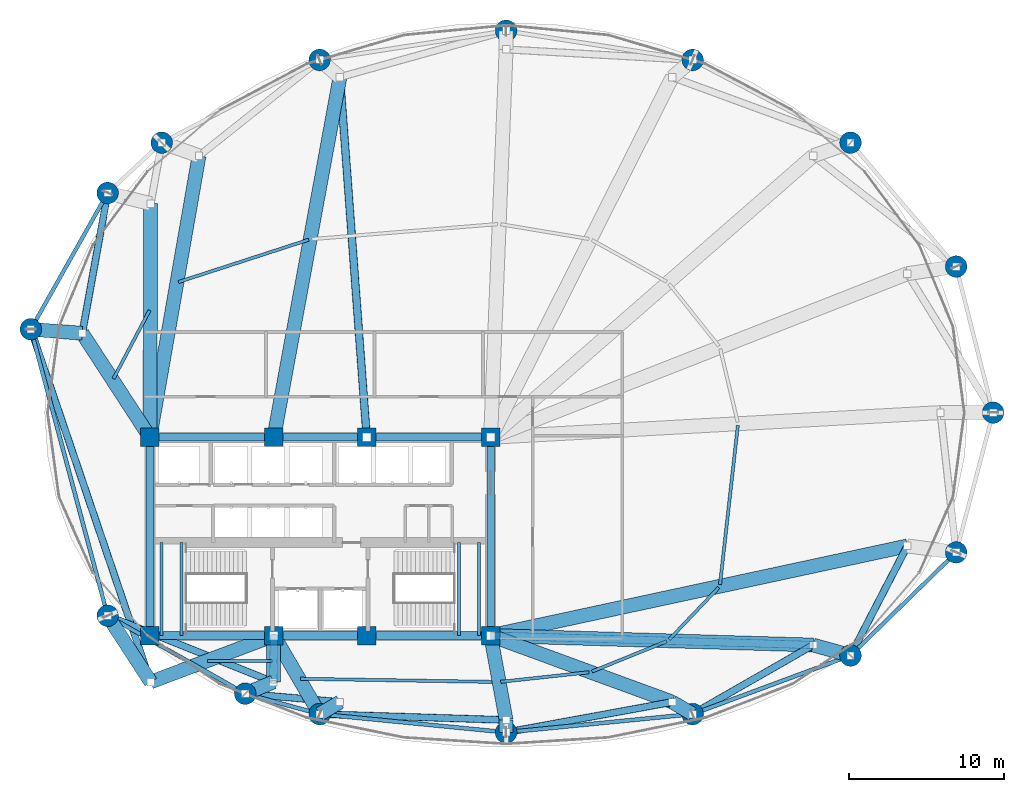
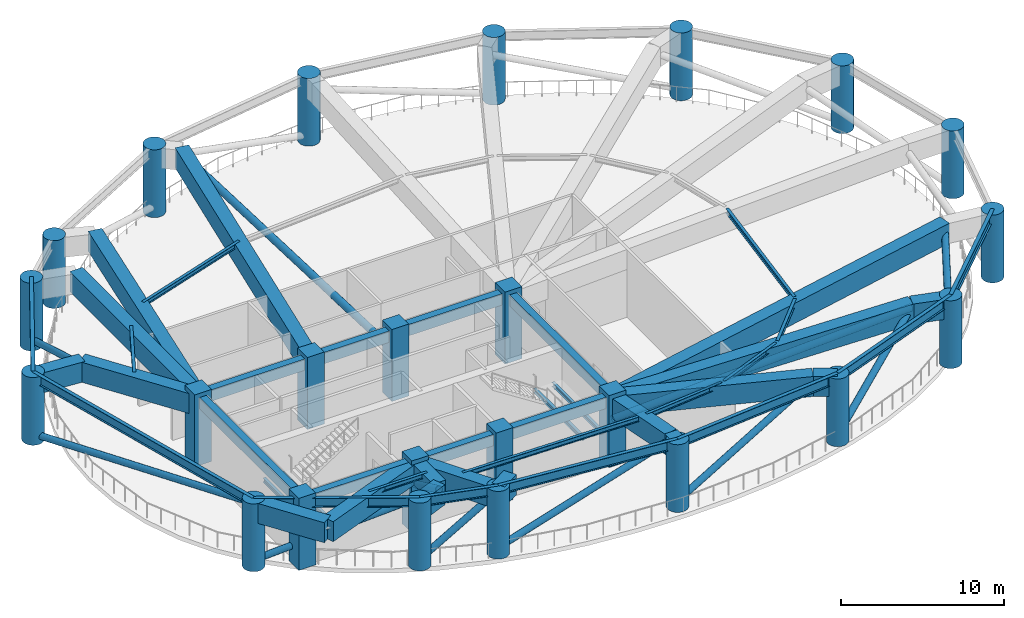
# One storey, part 1 of 9: 46 beams, 24 columns, 11 members.
"""IFC4 building model written with IfcOpenShell, lengths in metres."""

from ifc_helpers import new_model, si_unit, direction, frame, origin, origin_2d, place, context, subcontext, project, spatial, rectangle, circle, hollow_circle, i_section, extrude, material, material_profile, profile_set, type_object, element, save


model = new_model("IFC4")

# Units and contexts
model_context = context("Model", 3, precision=1e-05, world=origin(), true_north=direction((0.0, 1.0)))
body_context = subcontext(model_context, "Body", "Model", "MODEL_VIEW")
ifc_project = project(units=[si_unit("LENGTHUNIT", "METRE"), si_unit("AREAUNIT", "SQUARE_METRE"), si_unit("VOLUMEUNIT", "CUBIC_METRE"), si_unit("PLANEANGLEUNIT", "RADIAN"), si_unit("MASSUNIT", "GRAM", prefix="KILO")], contexts=[model_context])

# Site, building, storey
site_placement = place(None, origin())
site = spatial("IfcSite", under=ifc_project, at=site_placement, CompositionType="ELEMENT")
building_placement = place(site_placement, origin())
building = spatial("IfcBuilding", under=site, at=building_placement, Name="Kazevale Care Tower and Concert Hall", CompositionType="ELEMENT")
storey_placement = place(building_placement, frame((0.0, 0.0, 92.39990234375)))
storey = spatial("IfcBuildingStorey", under=building, at=storey_placement, Name="L24", CompositionType="ELEMENT", Elevation=92.39990234375)

# Columns
ifc_material_1 = material(Name="Concrete C70", Category="concrete")
ifc_material_profile_1 = material_profile(ifc_material_1, rectangle(XDim=1.199951171875, YDim=1.199951171875, at=origin_2d()), Name="RC-SQ1200")
ifc_profile_set_1 = profile_set([ifc_material_profile_1], Name="Concrete C70")
column_type_1 = type_object("IfcColumnType", Name="Core Column SQ1200 C70", PredefinedType="COLUMN", material=ifc_profile_set_1)
for number, where, z_axis, x_axis, name in (
    (1, (22.0, 23.60009765625, 0.0), (0.0, 0.0, 1.0), (1.0, 0.0, 0.0), "col:L24:CC-01"),
    (2, (30.0, 23.60009765625, 0.0), (0.0, 0.0, 1.0), (1.0, 0.0, 0.0), "col:L24:CC-02"),
    (3, (36.0, 23.60009765625, 0.0), (0.0, 0.0, 1.0), (1.0, 0.0, 0.0), "col:L24:CC-03"),
    (4, (44.0, 23.60009765625, 0.0), (0.0, 0.0, 1.0), (1.0, 0.0, 0.0), "col:L24:CC-04"),
    (5, (44.0, 36.39990234375, 0.0), (0.0, 0.0, 1.0), (1.0, 0.0, 0.0), "col:L24:CC-05"),
    (6, (36.0, 36.39990234375, 0.0), (0.0, 0.0, 1.0), (1.0, 0.0, 0.0), "col:L24:CC-06"),
    (7, (30.0, 36.39990234375, 0.0), (0.0, 0.0, 1.0), (1.0, 0.0, 0.0), "col:L24:CC-07"),
    (8, (22.0, 36.39990234375, 0.0), (0.0, 0.0, 1.0), (1.0, 0.0, 0.0), "col:L24:CC-08"),
):
    element("IfcColumn", number, at=place(storey_placement, frame(where, z_axis=z_axis, x_axis=x_axis)), inside=storey, type_object=column_type_1, Name=name, PredefinedType="COLUMN", context=body_context, shape_type="SweptSolid", body=[
        extrude(rectangle(XDim=1.199951171875, YDim=1.199951171875, at=origin_2d()), origin(), (0.0, 0.0, 1.0), 5.400146484375),
    ])
ifc_material_profile_2 = material_profile(ifc_material_1, circle(Radius=0.699951171875, at=origin_2d()), Name="RC-CIR1400")
ifc_profile_set_2 = profile_set([ifc_material_profile_2], Name="Concrete C70")
column_type_2 = type_object("IfcColumnType", Name="Perimeter Column CIR1400 C70", PredefinedType="COLUMN", material=ifc_profile_set_2)
for number, where, z_axis, x_axis, name in (
    (9, (76.449951171875, 38.0, 0.0), (0.0, 0.0, 1.0), (1.0, 0.0, 0.0), "col:L24:PC-01"),
    (10, (74.06005859375, 47.429931640625, 0.0), (0.0, 0.0, 1.0), (1.0, 0.0, 0.0), "col:L24:PC-02"),
    (11, (67.239990234375, 55.429931640625, 0.0), (0.0, 0.0, 1.0), (1.0, 0.0, 0.0), "col:L24:PC-03"),
    (12, (57.0400390625, 60.77001953125, 0.0), (0.0, 0.0, 1.0), (1.0, 0.0, 0.0), "col:L24:PC-04"),
    (13, (45.0, 62.64990234375, 0.0), (0.0, 0.0, 1.0), (1.0, 0.0, 0.0), "col:L24:PC-05"),
    (14, (32.9599609375, 60.77001953125, 0.0), (0.0, 0.0, 1.0), (1.0, 0.0, 0.0), "col:L24:PC-06"),
    (15, (22.760009765625, 55.429931640625, 0.0), (0.0, 0.0, 1.0), (1.0, 0.0, 0.0), "col:L24:PC-07"),
    (16, (19.27001953125, 52.179931640625, 0.0), (0.0, 0.0, 1.0), (1.0, 0.0, 0.0), "col:L24:PC-08"),
    (17, (14.31005859375, 43.3798828125, 0.0), (0.0, 0.0, 1.0), (1.0, 0.0, 0.0), "col:L24:PC-09"),
    (18, (19.27001953125, 24.8798828125, 0.0), (0.0, 0.0, 1.0), (1.0, 0.0, 0.0), "col:L24:PC-10"),
    (19, (28.14990234375, 19.85009765625, 0.0), (0.0, 0.0, 1.0), (1.0, 0.0, 0.0), "col:L24:PC-11"),
    (20, (32.9599609375, 18.530029296875, 0.0), (0.0, 0.0, 1.0), (1.0, 0.0, 0.0), "col:L24:PC-12"),
    (21, (45.0, 17.35009765625, 0.0), (0.0, 0.0, 1.0), (1.0, 0.0, 0.0), "col:L24:PC-13"),
    (22, (57.0400390625, 18.530029296875, 0.0), (0.0, 0.0, 1.0), (1.0, 0.0, 0.0), "col:L24:PC-14"),
    (23, (67.239990234375, 22.31005859375, 0.0), (0.0, 0.0, 1.0), (1.0, 0.0, 0.0), "col:L24:PC-15"),
    (24, (74.06005859375, 28.969970703125, 0.0), (0.0, 0.0, 1.0), (1.0, 0.0, 0.0), "col:L24:PC-16"),
):
    element("IfcColumn", number, at=place(storey_placement, frame(where, z_axis=z_axis, x_axis=x_axis)), inside=storey, type_object=column_type_2, Name=name, PredefinedType="COLUMN", context=body_context, shape_type="SweptSolid", body=[
        extrude(circle(Radius=0.699951171875, at=origin_2d()), origin(), (0.0, 0.0, 1.0), 5.080078125),
    ])

# Members
ifc_material_2 = material(Name="Steel ASTM A572 Gr 50", Category="steel")
ifc_material_profile_3 = material_profile(ifc_material_2, hollow_circle(Radius=0.228515625, WallThickness=0.028076171875, at=origin_2d()), Name="CHS457x28")
ifc_profile_set_3 = profile_set([ifc_material_profile_3], Name="Steel ASTM A572 Gr 50")
member_type_1 = type_object("IfcMemberType", Name="Belt Truss Diagonal CHS457x28", PredefinedType="BRACE", material=ifc_profile_set_3)
member_1_placement = place(storey_placement, frame((19.27001953125, 52.179931640625, 0.400146484375), z_axis=(-0.162536253079, -0.897820454827, 0.409268124009), x_axis=(0.984005391857, -0.178138678555, 0.0)))
element("IfcMember", 25, at=member_1_placement, inside=storey, type_object=member_type_1, Name="brace:L24:belt:08", PredefinedType="BRACE", context=body_context, shape_type="SweptSolid", body=[
    extrude(hollow_circle(Radius=0.228515625, WallThickness=0.028076171875, at=origin_2d()), origin(), (0.0, 0.0, 1.0), 10.0908203125),
])
member_2_placement = place(storey_placement, frame((14.31005859375, 43.3798828125, 0.400146484375), z_axis=(0.31707374491, -0.933188746888, 0.16918334129), x_axis=(0.946837795679, 0.321711343712, 0.0)))
element("IfcMember", 26, at=member_2_placement, inside=storey, type_object=member_type_1, Name="brace:L24:belt:09", PredefinedType="BRACE", context=body_context, shape_type="SweptSolid", body=[
    extrude(hollow_circle(Radius=0.228515625, WallThickness=0.028076171875, at=origin_2d()), origin(), (0.0, 0.0, 1.0), 24.41064453125),
])
member_3_placement = place(storey_placement, frame((19.27001953125, 24.8798828125, 0.400146484375), z_axis=(0.874051119503, -0.349604493232, 0.337359361524), x_axis=(0.371376065845, 0.928482534956, 0.0)))
element("IfcMember", 27, at=member_3_placement, inside=storey, type_object=member_type_1, Name="brace:L24:belt:10", PredefinedType="BRACE", context=body_context, shape_type="SweptSolid", body=[
    extrude(hollow_circle(Radius=0.228515625, WallThickness=0.028076171875, at=origin_2d()), origin(), (0.0, 0.0, 1.0), 12.24169921875),
])
member_4_placement = place(storey_placement, frame((28.14990234375, 19.85009765625, 0.400146484375), z_axis=(0.826715256696, -0.072949343698, 0.557871201623), x_axis=(0.087898449132, 0.996129440705, 0.0)))
element("IfcMember", 28, at=member_4_placement, inside=storey, type_object=member_type_1, Name="brace:L24:belt:11", PredefinedType="BRACE", context=body_context, shape_type="SweptSolid", body=[
    extrude(hollow_circle(Radius=0.228515625, WallThickness=0.028076171875, at=origin_2d()), origin(), (0.0, 0.0, 1.0), 7.40283203125),
])
member_5_placement = place(storey_placement, frame((32.9599609375, 18.530029296875, 0.400146484375), z_axis=(0.945479359105, -0.029850583221, 0.32431115335), x_axis=(0.031556180194, 0.999501979734, 0.0)))
element("IfcMember", 29, at=member_5_placement, inside=storey, type_object=member_type_1, Name="brace:L24:belt:12", PredefinedType="BRACE", context=body_context, shape_type="SweptSolid", body=[
    extrude(hollow_circle(Radius=0.228515625, WallThickness=0.028076171875, at=origin_2d()), origin(), (0.0, 0.0, 1.0), 12.734375),
])
member_6_placement = place(storey_placement, frame((45.0, 17.35009765625, 0.400146484375), z_axis=(0.919987245123, 0.168046816925, 0.354095659579), x_axis=(-0.179689010093, 0.983723467064, 0.0)))
element("IfcMember", 30, at=member_6_placement, inside=storey, type_object=member_type_1, Name="brace:L24:belt:13", PredefinedType="BRACE", context=body_context, shape_type="SweptSolid", body=[
    extrude(hollow_circle(Radius=0.228515625, WallThickness=0.028076171875, at=origin_2d()), origin(), (0.0, 0.0, 1.0), 11.6630859375),
])
member_7_placement = place(storey_placement, frame((57.0400390625, 18.530029296875, 0.400146484375), z_axis=(0.788394856337, 0.451372609865, 0.417966885728), x_axis=(-0.496853450587, 0.867834459237, 0.0)))
element("IfcMember", 31, at=member_7_placement, inside=storey, type_object=member_type_1, Name="brace:L24:belt:14", PredefinedType="BRACE", context=body_context, shape_type="SweptSolid", body=[
    extrude(hollow_circle(Radius=0.228515625, WallThickness=0.028076171875, at=origin_2d()), origin(), (0.0, 0.0, 1.0), 9.880859375),
])
member_8_placement = place(storey_placement, frame((67.239990234375, 22.31005859375, 0.400146484375), z_axis=(0.408657232294, 0.788361567275, 0.459875315426), x_axis=(-0.887811055363, 0.460208137667, 0.0)))
element("IfcMember", 32, at=member_8_placement, inside=storey, type_object=member_type_1, Name="brace:L24:belt:15", PredefinedType="BRACE", context=body_context, shape_type="SweptSolid", body=[
    extrude(hollow_circle(Radius=0.228515625, WallThickness=0.028076171875, at=origin_2d()), origin(), (0.0, 0.0, 1.0), 8.98046875),
])

# Beams
ifc_material_3 = material(Name="Concrete C60", Category="concrete")
ifc_material_profile_4 = material_profile(ifc_material_3, rectangle(XDim=0.5, YDim=0.85009765625, at=origin_2d()), Name="RC-B500x850")
ifc_profile_set_4 = profile_set([ifc_material_profile_4], Name="Concrete C60")
beam_type_1 = type_object("IfcBeamType", Name="Core Coupling Beam RC500x850", PredefinedType="LINTEL", material=ifc_profile_set_4)
beam_1_placement = place(storey_placement, frame((22.0, 23.60009765625, 4.655029296875), z_axis=(1.0, 0.0, 0.0), x_axis=(0.0, 1.0, 0.0)))
element("IfcBeam", 33, at=beam_1_placement, inside=storey, type_object=beam_type_1, Name="beam:L24:coretie:1", PredefinedType="LINTEL", context=body_context, shape_type="SweptSolid", body=[
    extrude(rectangle(XDim=0.5, YDim=0.85009765625, at=origin_2d()), origin(), (0.0, 0.0, 1.0), 8.0),
])
beam_2_placement = place(storey_placement, frame((30.0, 23.60009765625, 4.655029296875), z_axis=(1.0, 0.0, 0.0), x_axis=(0.0, 1.0, 0.0)))
element("IfcBeam", 34, at=beam_2_placement, inside=storey, type_object=beam_type_1, Name="beam:L24:coretie:2", PredefinedType="LINTEL", context=body_context, shape_type="SweptSolid", body=[
    extrude(rectangle(XDim=0.5, YDim=0.85009765625, at=origin_2d()), origin(), (0.0, 0.0, 1.0), 6.0),
])
beam_3_placement = place(storey_placement, frame((36.0, 23.60009765625, 4.655029296875), z_axis=(1.0, 0.0, 0.0), x_axis=(0.0, 1.0, 0.0)))
element("IfcBeam", 35, at=beam_3_placement, inside=storey, type_object=beam_type_1, Name="beam:L24:coretie:3", PredefinedType="LINTEL", context=body_context, shape_type="SweptSolid", body=[
    extrude(rectangle(XDim=0.5, YDim=0.85009765625, at=origin_2d()), origin(), (0.0, 0.0, 1.0), 8.0),
])
beam_4_placement = place(storey_placement, frame((44.0, 23.60009765625, 4.655029296875), z_axis=(0.0, 1.0, 0.0), x_axis=(-1.0, 0.0, 0.0)))
element("IfcBeam", 36, at=beam_4_placement, inside=storey, type_object=beam_type_1, Name="beam:L24:coretie:4", PredefinedType="LINTEL", context=body_context, shape_type="SweptSolid", body=[
    extrude(rectangle(XDim=0.5, YDim=0.85009765625, at=origin_2d()), origin(), (0.0, 0.0, 1.0), 12.7998046875),
])
beam_5_placement = place(storey_placement, frame((44.0, 36.39990234375, 4.655029296875), z_axis=(-1.0, 0.0, 0.0), x_axis=(0.0, -1.0, 0.0)))
element("IfcBeam", 37, at=beam_5_placement, inside=storey, type_object=beam_type_1, Name="beam:L24:coretie:5", PredefinedType="LINTEL", context=body_context, shape_type="SweptSolid", body=[
    extrude(rectangle(XDim=0.5, YDim=0.85009765625, at=origin_2d()), origin(), (0.0, 0.0, 1.0), 8.0),
])
beam_6_placement = place(storey_placement, frame((36.0, 36.39990234375, 4.655029296875), z_axis=(-1.0, 0.0, 0.0), x_axis=(0.0, -1.0, 0.0)))
element("IfcBeam", 38, at=beam_6_placement, inside=storey, type_object=beam_type_1, Name="beam:L24:coretie:6", PredefinedType="LINTEL", context=body_context, shape_type="SweptSolid", body=[
    extrude(rectangle(XDim=0.5, YDim=0.85009765625, at=origin_2d()), origin(), (0.0, 0.0, 1.0), 6.0),
])
beam_7_placement = place(storey_placement, frame((30.0, 36.39990234375, 4.655029296875), z_axis=(-1.0, 0.0, 0.0), x_axis=(0.0, -1.0, 0.0)))
element("IfcBeam", 39, at=beam_7_placement, inside=storey, type_object=beam_type_1, Name="beam:L24:coretie:7", PredefinedType="LINTEL", context=body_context, shape_type="SweptSolid", body=[
    extrude(rectangle(XDim=0.5, YDim=0.85009765625, at=origin_2d()), origin(), (0.0, 0.0, 1.0), 8.0),
])
beam_8_placement = place(storey_placement, frame((22.0, 36.39990234375, 4.655029296875), z_axis=(0.0, -1.0, 0.0), x_axis=(1.0, 0.0, 0.0)))
element("IfcBeam", 40, at=beam_8_placement, inside=storey, type_object=beam_type_1, Name="beam:L24:coretie:8", PredefinedType="LINTEL", context=body_context, shape_type="SweptSolid", body=[
    extrude(rectangle(XDim=0.5, YDim=0.85009765625, at=origin_2d()), origin(), (0.0, 0.0, 1.0), 12.7998046875),
])

# Members
ifc_material_profile_5 = material_profile(ifc_material_2, hollow_circle(Radius=0.25390625, WallThickness=0.031982421875, at=origin_2d()), Name="CHS508x32")
ifc_profile_set_5 = profile_set([ifc_material_profile_5], Name="Steel ASTM A572 Gr 50")
member_type_2 = type_object("IfcMemberType", Name="Outrigger Diagonal CHS508x32", PredefinedType="BRACE", material=ifc_profile_set_5)
member_9_placement = place(storey_placement, frame((36.0, 36.39990234375, 3.10009765625), z_axis=(-0.074031882737, 0.995376737787, 0.061191749533), x_axis=(-0.997245547011, -0.074170876808, 0.0)))
element("IfcMember", 41, at=member_9_placement, inside=storey, type_object=member_type_2, Name="brace:L24:outrig:2", PredefinedType="BRACE", context=body_context, shape_type="SweptSolid", body=[
    extrude(hollow_circle(Radius=0.25390625, WallThickness=0.031982421875, at=origin_2d()), origin(), (0.0, 0.0, 1.0), 23.3681640625),
])
member_10_placement = place(storey_placement, frame((30.0, 23.60009765625, 3.10009765625), z_axis=(-0.009035462433, -0.902664734789, 0.430249621717), x_axis=(0.99994990606, -0.010009264196, 0.0)))
element("IfcMember", 42, at=member_10_placement, inside=storey, type_object=member_type_2, Name="brace:L24:outrig:3", PredefinedType="BRACE", context=body_context, shape_type="SweptSolid", body=[
    extrude(hollow_circle(Radius=0.25390625, WallThickness=0.031982421875, at=origin_2d()), origin(), (0.0, 0.0, 1.0), 3.323486328125),
])
member_11_placement = place(storey_placement, frame((44.0, 23.60009765625, 3.10009765625), z_axis=(0.997226402021, -0.029208494827, 0.068457044499), x_axis=(0.029277177187, 0.99957133157, 0.0)))
element("IfcMember", 43, at=member_11_placement, inside=storey, type_object=member_type_2, Name="brace:L24:outrig:4", PredefinedType="BRACE", context=body_context, shape_type="SweptSolid", body=[
    extrude(hollow_circle(Radius=0.25390625, WallThickness=0.031982421875, at=origin_2d()), origin(), (0.0, 0.0, 1.0), 20.887939453125),
])

# Beams
ifc_material_profile_6 = material_profile(ifc_material_3, rectangle(XDim=0.89990234375, YDim=1.5, at=origin_2d()), Name="RC-TG900x1500")
ifc_profile_set_6 = profile_set([ifc_material_profile_6], Name="Concrete C60")
beam_type_2 = type_object("IfcBeamType", Name="Podium Transfer Girder RC900x1500", PredefinedType="BEAM", material=ifc_profile_set_6)
beam_9_placement = place(storey_placement, frame((30.0, 36.39990234375, 4.330078125), z_axis=(0.180560416158, 0.983563895289, 0.0), x_axis=(-0.983563895289, 0.180560416158, 0.0)))
element("IfcBeam", 44, at=beam_9_placement, inside=storey, type_object=beam_type_2, Name="beam:L24:ztg_in:06", PredefinedType="BEAM", context=body_context, shape_type="SweptSolid", body=[
    extrude(rectangle(XDim=0.89990234375, YDim=1.5, at=origin_2d()), origin(), (0.0, 0.0, 1.0), 23.648681640625),
])
beam_10_placement = place(storey_placement, frame((22.0, 36.39990234375, 4.330078125), z_axis=(0.171769935245, 0.985137091651, 0.0), x_axis=(-0.985137091651, 0.171769935245, 0.0)))
element("IfcBeam", 45, at=beam_10_placement, inside=storey, type_object=beam_type_2, Name="beam:L24:ztg_in:07", PredefinedType="BEAM", context=body_context, shape_type="SweptSolid", body=[
    extrude(rectangle(XDim=0.89990234375, YDim=1.5, at=origin_2d()), origin(), (0.0, 0.0, 1.0), 18.454345703125),
])
beam_11_placement = place(storey_placement, frame((22.0, 36.39990234375, 4.330078125), z_axis=(0.003316650851, 0.999994499898, 0.0), x_axis=(-0.999994499898, 0.003316650851, 0.0)))
element("IfcBeam", 46, at=beam_11_placement, inside=storey, type_object=beam_type_2, Name="beam:L24:ztg_in:08", PredefinedType="BEAM", context=body_context, shape_type="SweptSolid", body=[
    extrude(rectangle(XDim=0.89990234375, YDim=1.5, at=origin_2d()), origin(), (0.0, 0.0, 1.0), 15.090087890625),
])
beam_12_placement = place(storey_placement, frame((22.0, 36.39990234375, 4.330078125), z_axis=(-0.5451617613, 0.83833087383, 0.0), x_axis=(-0.83833087383, -0.5451617613, 0.0)))
element("IfcBeam", 47, at=beam_12_placement, inside=storey, type_object=beam_type_2, Name="beam:L24:ztg_in:09", PredefinedType="BEAM", context=body_context, shape_type="SweptSolid", body=[
    extrude(rectangle(XDim=0.89990234375, YDim=1.5, at=origin_2d()), origin(), (0.0, 0.0, 1.0), 8.01611328125),
])
beam_13_placement = place(storey_placement, frame((17.6298828125, 43.1201171875, 4.330078125), z_axis=(-0.996952704889, 0.078008359906, 0.0), x_axis=(-0.078008359906, -0.996952704889, 0.0)))
element("IfcBeam", 48, at=beam_13_placement, inside=storey, type_object=beam_type_2, Name="beam:L24:ztg_out:09", PredefinedType="BEAM", context=body_context, shape_type="SweptSolid", body=[
    extrude(rectangle(XDim=0.89990234375, YDim=1.5, at=origin_2d()), origin(), (0.0, 0.0, 1.0), 3.330078125),
])
beam_14_placement = place(storey_placement, frame((30.0, 23.60009765625, 4.330078125), z_axis=(-0.935601002663, -0.353059150592, 0.0), x_axis=(0.353059150592, -0.935601002663, 0.0)))
element("IfcBeam", 49, at=beam_14_placement, inside=storey, type_object=beam_type_2, Name="beam:L24:ztg_in:10", PredefinedType="BEAM", context=body_context, shape_type="SweptSolid", body=[
    extrude(rectangle(XDim=0.89990234375, YDim=1.5, at=origin_2d()), origin(), (0.0, 0.0, 1.0), 8.4970703125),
])
beam_15_placement = place(storey_placement, frame((22.050048828125, 20.60009765625, 4.330078125), z_axis=(-0.544736102274, 0.838607523743, 0.0), x_axis=(-0.838607523743, -0.544736102274, 0.0)))
element("IfcBeam", 50, at=beam_15_placement, inside=storey, type_object=beam_type_2, Name="beam:L24:ztg_out:10", PredefinedType="BEAM", context=body_context, shape_type="SweptSolid", body=[
    extrude(rectangle(XDim=0.89990234375, YDim=1.5, at=origin_2d()), origin(), (0.0, 0.0, 1.0), 5.103515625),
])
beam_16_placement = place(storey_placement, frame((30.0, 23.60009765625, 4.330078125), z_axis=(-0.010009264196, -0.99994990606, 0.0), x_axis=(0.99994990606, -0.010009264196, 0.0)))
element("IfcBeam", 51, at=beam_16_placement, inside=storey, type_object=beam_type_2, Name="beam:L24:ztg_in:11", PredefinedType="BEAM", context=body_context, shape_type="SweptSolid", body=[
    extrude(rectangle(XDim=0.89990234375, YDim=1.5, at=origin_2d()), origin(), (0.0, 0.0, 1.0), 3.000244140625),
])
beam_17_placement = place(storey_placement, frame((29.969970703125, 20.60009765625, 4.330078125), z_axis=(-0.924577895521, -0.380993064392, 0.0), x_axis=(0.380993064392, -0.924577895521, 0.0)))
element("IfcBeam", 52, at=beam_17_placement, inside=storey, type_object=beam_type_2, Name="beam:L24:ztg_out:11", PredefinedType="BEAM", context=body_context, shape_type="SweptSolid", body=[
    extrude(rectangle(XDim=0.89990234375, YDim=1.5, at=origin_2d()), origin(), (0.0, 0.0, 1.0), 1.968505859375),
])
beam_18_placement = place(storey_placement, frame((30.0, 23.60009765625, 4.330078125), z_axis=(0.50417868077, -0.86359936189, 0.0), x_axis=(0.86359936189, 0.50417868077, 0.0)))
element("IfcBeam", 53, at=beam_18_placement, inside=storey, type_object=beam_type_2, Name="beam:L24:ztg_in:12", PredefinedType="BEAM", context=body_context, shape_type="SweptSolid", body=[
    extrude(rectangle(XDim=0.89990234375, YDim=1.5, at=origin_2d()), origin(), (0.0, 0.0, 1.0), 5.870849609375),
])
beam_19_placement = place(storey_placement, frame((32.9599609375, 18.530029296875, 4.330078125), z_axis=(0.859225851462, 0.511596458334, 0.0), x_axis=(-0.511596458334, 0.859225851462, 0.0)))
element("IfcBeam", 54, at=beam_19_placement, inside=storey, type_object=beam_type_2, Name="beam:L24:ztg_out:12", PredefinedType="BEAM", context=body_context, shape_type="SweptSolid", body=[
    extrude(rectangle(XDim=0.89990234375, YDim=1.5, at=origin_2d()), origin(), (0.0, 0.0, 1.0), 1.524658203125),
])
beam_20_placement = place(storey_placement, frame((44.0, 23.60009765625, 4.330078125), z_axis=(0.180467114023, -0.983581018908, 0.0), x_axis=(0.983581018908, 0.180467114023, 0.0)))
element("IfcBeam", 55, at=beam_20_placement, inside=storey, type_object=beam_type_2, Name="beam:L24:ztg_in:13", PredefinedType="BEAM", context=body_context, shape_type="SweptSolid", body=[
    extrude(rectangle(XDim=0.89990234375, YDim=1.5, at=origin_2d()), origin(), (0.0, 0.0, 1.0), 5.541259765625),
])
beam_21_placement = place(storey_placement, frame((45.0, 18.14990234375, 4.330078125), z_axis=(0.0, -1.0, 0.0), x_axis=(1.0, 0.0, 0.0)))
element("IfcBeam", 56, at=beam_21_placement, inside=storey, type_object=beam_type_2, Name="beam:L24:ztg_out:13", PredefinedType="BEAM", context=body_context, shape_type="SweptSolid", body=[
    extrude(rectangle(XDim=0.89990234375, YDim=1.5, at=origin_2d()), origin(), (0.0, 0.0, 1.0), 0.7998046875),
])
beam_22_placement = place(storey_placement, frame((44.0, 23.60009765625, 4.330078125), z_axis=(0.939159459123, -0.343481455599, 0.0), x_axis=(0.343481455599, 0.939159459123, 0.0)))
element("IfcBeam", 57, at=beam_22_placement, inside=storey, type_object=beam_type_2, Name="beam:L24:ztg_in:14", PredefinedType="BEAM", context=body_context, shape_type="SweptSolid", body=[
    extrude(rectangle(XDim=0.89990234375, YDim=1.5, at=origin_2d()), origin(), (0.0, 0.0, 1.0), 12.489990234375),
])
beam_23_placement = place(storey_placement, frame((55.72998046875, 19.31005859375, 4.330078125), z_axis=(0.859225851462, -0.511596458334, 0.0), x_axis=(0.511596458334, 0.859225851462, 0.0)))
element("IfcBeam", 58, at=beam_23_placement, inside=storey, type_object=beam_type_2, Name="beam:L24:ztg_out:14", PredefinedType="BEAM", context=body_context, shape_type="SweptSolid", body=[
    extrude(rectangle(XDim=0.89990234375, YDim=1.5, at=origin_2d()), origin(), (0.0, 0.0, 1.0), 1.524658203125),
])
beam_24_placement = place(storey_placement, frame((44.0, 23.60009765625, 4.330078125), z_axis=(0.99957133157, -0.029277177187, 0.0), x_axis=(0.029277177187, 0.99957133157, 0.0)))
element("IfcBeam", 59, at=beam_24_placement, inside=storey, type_object=beam_type_2, Name="beam:L24:ztg_in:15", PredefinedType="BEAM", context=body_context, shape_type="SweptSolid", body=[
    extrude(rectangle(XDim=0.89990234375, YDim=1.5, at=origin_2d()), origin(), (0.0, 0.0, 1.0), 20.839111328125),
])
beam_25_placement = place(storey_placement, frame((64.830078125, 22.989990234375, 4.330078125), z_axis=(0.962427464978, -0.271538900817, 0.0), x_axis=(0.271538900817, 0.962427464978, 0.0)))
element("IfcBeam", 60, at=beam_25_placement, inside=storey, type_object=beam_type_2, Name="beam:L24:ztg_out:15", PredefinedType="BEAM", context=body_context, shape_type="SweptSolid", body=[
    extrude(rectangle(XDim=0.89990234375, YDim=1.5, at=origin_2d()), origin(), (0.0, 0.0, 1.0), 2.50390625),
])
beam_26_placement = place(storey_placement, frame((44.0, 23.60009765625, 4.330078125), z_axis=(0.97762801725, 0.210341293823, 0.0), x_axis=(-0.210341293823, 0.97762801725, 0.0)))
element("IfcBeam", 61, at=beam_26_placement, inside=storey, type_object=beam_type_2, Name="beam:L24:ztg_in:16", PredefinedType="BEAM", context=body_context, shape_type="SweptSolid", body=[
    extrude(rectangle(XDim=0.89990234375, YDim=1.5, at=origin_2d()), origin(), (0.0, 0.0, 1.0), 27.525634765625),
])
ifc_material_profile_7 = material_profile(ifc_material_2, i_section(OverallWidth=0.205078125, OverallDepth=0.35400390625, WebThickness=0.009521484375, FlangeThickness=0.016845703125, at=origin_2d()), Name="W360x79")
ifc_profile_set_7 = profile_set([ifc_material_profile_7], Name="Steel ASTM A572 Gr 50")
beam_type_3 = type_object("IfcBeamType", Name="Secondary Floor Joist W360x79", PredefinedType="JOIST", material=ifc_profile_set_7)
beam_27_placement = place(storey_placement, frame((32.2490234375, 49.160888671875, 4.903076171875), z_axis=(-0.951099615705, -0.308884316541, 0.0), x_axis=(0.308884316541, -0.951099615705, 0.0)))
element("IfcBeam", 62, at=beam_27_placement, inside=storey, type_object=beam_type_3, Name="beam:L24:joist:06", PredefinedType="JOIST", context=body_context, shape_type="SweptSolid", body=[
    extrude(i_section(OverallWidth=0.205078125, OverallDepth=0.35400390625, WebThickness=0.009521484375, FlangeThickness=0.016845703125, at=origin_2d()), origin(), (0.0, 0.0, 1.0), 8.838134765625),
])
beam_28_placement = place(storey_placement, frame((21.97802734375, 44.60693359375, 4.903076171875), z_axis=(-0.466809583155, -0.884357853515, 0.0), x_axis=(0.884357853515, -0.466809583155, 0.0)))
element("IfcBeam", 63, at=beam_28_placement, inside=storey, type_object=beam_type_3, Name="beam:L24:joist:08", PredefinedType="JOIST", context=body_context, shape_type="SweptSolid", body=[
    extrude(i_section(OverallWidth=0.205078125, OverallDepth=0.35400390625, WebThickness=0.009521484375, FlangeThickness=0.016845703125, at=origin_2d()), origin(), (0.0, 0.0, 1.0), 4.99560546875),
])
beam_29_placement = place(storey_placement, frame((25.73291015625, 21.949951171875, 4.903076171875), z_axis=(1.0, 0.0, 0.0), x_axis=(0.0, 1.0, 0.0)))
element("IfcBeam", 64, at=beam_29_placement, inside=storey, type_object=beam_type_3, Name="beam:L24:joist:10", PredefinedType="JOIST", context=body_context, shape_type="SweptSolid", body=[
    extrude(i_section(OverallWidth=0.205078125, OverallDepth=0.35400390625, WebThickness=0.009521484375, FlangeThickness=0.016845703125, at=origin_2d()), origin(), (0.0, 0.0, 1.0), 4.14501953125),
])
beam_30_placement = place(storey_placement, frame((31.73291015625, 20.81005859375, 4.903076171875), z_axis=(0.999868655814, -0.016207131796, 0.0), x_axis=(0.016207131796, 0.999868655814, 0.0)))
element("IfcBeam", 65, at=beam_30_placement, inside=storey, type_object=beam_type_3, Name="beam:L24:joist:12", PredefinedType="JOIST", context=body_context, shape_type="SweptSolid", body=[
    extrude(i_section(OverallWidth=0.205078125, OverallDepth=0.35400390625, WebThickness=0.009521484375, FlangeThickness=0.016845703125, at=origin_2d()), origin(), (0.0, 0.0, 1.0), 12.7138671875),
])
beam_31_placement = place(storey_placement, frame((44.654052734375, 20.614013671875, 4.903076171875), z_axis=(0.994215541126, 0.107403248482, 0.0), x_axis=(-0.107403248482, 0.994215541126, 0.0)))
element("IfcBeam", 66, at=beam_31_placement, inside=storey, type_object=beam_type_3, Name="beam:L24:joist:13", PredefinedType="JOIST", context=body_context, shape_type="SweptSolid", body=[
    extrude(i_section(OverallWidth=0.205078125, OverallDepth=0.35400390625, WebThickness=0.009521484375, FlangeThickness=0.016845703125, at=origin_2d()), origin(), (0.0, 0.0, 1.0), 5.72607421875),
])
beam_32_placement = place(storey_placement, frame((50.549072265625, 21.280029296875, 4.903076171875), z_axis=(0.927064833216, 0.374901046964, 0.0), x_axis=(-0.374901046964, 0.927064833216, 0.0)))
element("IfcBeam", 67, at=beam_32_placement, inside=storey, type_object=beam_type_3, Name="beam:L24:joist:14", PredefinedType="JOIST", context=body_context, shape_type="SweptSolid", body=[
    extrude(i_section(OverallWidth=0.205078125, OverallDepth=0.35400390625, WebThickness=0.009521484375, FlangeThickness=0.016845703125, at=origin_2d()), origin(), (0.0, 0.0, 1.0), 5.188232421875),
])
beam_33_placement = place(storey_placement, frame((55.529052734375, 23.341064453125, 4.903076171875), z_axis=(0.688792288395, 0.724958746032, 0.0), x_axis=(-0.724958746032, 0.688792288395, 0.0)))
element("IfcBeam", 68, at=beam_33_placement, inside=storey, type_object=beam_type_3, Name="beam:L24:joist:15", PredefinedType="JOIST", context=body_context, shape_type="SweptSolid", body=[
    extrude(i_section(OverallWidth=0.205078125, OverallDepth=0.35400390625, WebThickness=0.009521484375, FlangeThickness=0.016845703125, at=origin_2d()), origin(), (0.0, 0.0, 1.0), 4.644287109375),
])
beam_34_placement = place(storey_placement, frame((58.81201171875, 26.888916015625, 4.903076171875), z_axis=(0.111485011105, 0.993766115491, 0.0), x_axis=(-0.993766115491, 0.111485011105, 0.0)))
element("IfcBeam", 69, at=beam_34_placement, inside=storey, type_object=beam_type_3, Name="beam:L24:joist:16", PredefinedType="JOIST", context=body_context, shape_type="SweptSolid", body=[
    extrude(i_section(OverallWidth=0.205078125, OverallDepth=0.35400390625, WebThickness=0.009521484375, FlangeThickness=0.016845703125, at=origin_2d()), origin(), (0.0, 0.0, 1.0), 10.3515625),
])
ifc_material_profile_8 = material_profile(ifc_material_2, i_section(OverallWidth=0.202880859375, OverallDepth=0.302978515625, WebThickness=0.007568359375, FlangeThickness=0.01318359375, at=origin_2d()), Name="W310x60")
ifc_profile_set_8 = profile_set([ifc_material_profile_8], Name="Steel ASTM A572 Gr 50")
beam_type_4 = type_object("IfcBeamType", Name="Stair & Balcony Trimmer W310x60", PredefinedType="BEAM", material=ifc_profile_set_8)
for number, where, z_axis, x_axis, name in (
    (70, (22.75, 23.60009765625, 2.3486328125), (0.0, 1.0, 0.0), (-1.0, 0.0, 0.0), "beam:L24:sttrim:ST1"),
    (71, (24.050048828125, 23.60009765625, 2.3486328125), (0.0, 1.0, 0.0), (-1.0, 0.0, 0.0), "beam:L24:sttrim:ST1b"),
    (72, (41.949951171875, 23.60009765625, 2.3486328125), (0.0, 1.0, 0.0), (-1.0, 0.0, 0.0), "beam:L24:sttrim:ST2"),
    (73, (43.25, 23.60009765625, 2.3486328125), (0.0, 1.0, 0.0), (-1.0, 0.0, 0.0), "beam:L24:sttrim:ST2b"),
):
    element("IfcBeam", number, at=place(storey_placement, frame(where, z_axis=z_axis, x_axis=x_axis)), inside=storey, type_object=beam_type_4, Name=name, PredefinedType="BEAM", context=body_context, shape_type="SweptSolid", body=[
        extrude(i_section(OverallWidth=0.202880859375, OverallDepth=0.302978515625, WebThickness=0.007568359375, FlangeThickness=0.01318359375, at=origin_2d()), origin(), (0.0, 0.0, 1.0), 6.0),
    ])
ifc_material_profile_9 = material_profile(ifc_material_2, i_section(OverallWidth=0.256103515625, OverallDepth=0.693115234375, WebThickness=0.014404296875, FlangeThickness=0.023681640625, at=origin_2d()), Name="W690x170")
ifc_profile_set_9 = profile_set([ifc_material_profile_9], Name="Steel ASTM A572 Gr 50")
beam_type_5 = type_object("IfcBeamType", Name="Waist Ring Beam W690x170", PredefinedType="BEAM", material=ifc_profile_set_9)
beam_35_placement = place(storey_placement, frame((19.27001953125, 52.179931640625, 4.733642578125), z_axis=(-0.491008061092, -0.87115502865, 0.0), x_axis=(0.87115502865, -0.491008061092, 0.0)))
element("IfcBeam", 74, at=beam_35_placement, inside=storey, type_object=beam_type_5, Name="beam:L24:ring:08", PredefinedType="BEAM", context=body_context, shape_type="SweptSolid", body=[
    extrude(i_section(OverallWidth=0.256103515625, OverallDepth=0.693115234375, WebThickness=0.014404296875, FlangeThickness=0.023681640625, at=origin_2d()), origin(), (0.0, 0.0, 1.0), 10.1015625),
])
beam_36_placement = place(storey_placement, frame((14.31005859375, 43.3798828125, 4.733642578125), z_axis=(0.258960352031, -0.965887952133, 0.0), x_axis=(0.965887952133, 0.258960352031, 0.0)))
element("IfcBeam", 75, at=beam_36_placement, inside=storey, type_object=beam_type_5, Name="beam:L24:ring:09", PredefinedType="BEAM", context=body_context, shape_type="SweptSolid", body=[
    extrude(i_section(OverallWidth=0.256103515625, OverallDepth=0.693115234375, WebThickness=0.014404296875, FlangeThickness=0.023681640625, at=origin_2d()), origin(), (0.0, 0.0, 1.0), 19.1533203125),
])
beam_37_placement = place(storey_placement, frame((19.27001953125, 24.8798828125, 4.733642578125), z_axis=(0.870112469479, -0.492853213906, 0.0), x_axis=(0.492853213906, 0.870112469479, 0.0)))
element("IfcBeam", 76, at=beam_37_placement, inside=storey, type_object=beam_type_5, Name="beam:L24:ring:10", PredefinedType="BEAM", context=body_context, shape_type="SweptSolid", body=[
    extrude(i_section(OverallWidth=0.256103515625, OverallDepth=0.693115234375, WebThickness=0.014404296875, FlangeThickness=0.023681640625, at=origin_2d()), origin(), (0.0, 0.0, 1.0), 10.205322265625),
])
beam_38_placement = place(storey_placement, frame((28.14990234375, 19.85009765625, 4.733642578125), z_axis=(0.964343540473, -0.264653615031, 0.0), x_axis=(0.264653615031, 0.964343540473, 0.0)))
element("IfcBeam", 77, at=beam_38_placement, inside=storey, type_object=beam_type_5, Name="beam:L24:ring:11", PredefinedType="BEAM", context=body_context, shape_type="SweptSolid", body=[
    extrude(i_section(OverallWidth=0.256103515625, OverallDepth=0.693115234375, WebThickness=0.014404296875, FlangeThickness=0.023681640625, at=origin_2d()), origin(), (0.0, 0.0, 1.0), 4.98779296875),
])
for number, where, z_axis, x_axis, name in (
    (78, (32.9599609375, 18.530029296875, 4.733642578125), (0.995232251602, -0.09753340644, 0.0), (0.09753340644, 0.995232251602, 0.0), "beam:L24:ring:12"),
    (79, (45.0, 17.35009765625, 4.733642578125), (0.995232251602, 0.09753340644, 0.0), (-0.09753340644, 0.995232251602, 0.0), "beam:L24:ring:13"),
):
    element("IfcBeam", number, at=place(storey_placement, frame(where, z_axis=z_axis, x_axis=x_axis)), inside=storey, type_object=beam_type_5, Name=name, PredefinedType="BEAM", context=body_context, shape_type="SweptSolid", body=[
        extrude(i_section(OverallWidth=0.256103515625, OverallDepth=0.693115234375, WebThickness=0.014404296875, FlangeThickness=0.023681640625, at=origin_2d()), origin(), (0.0, 0.0, 1.0), 12.09765625),
    ])
beam_39_placement = place(storey_placement, frame((57.0400390625, 18.530029296875, 4.733642578125), z_axis=(0.937680788596, 0.347497825458, 0.0), x_axis=(-0.347497825458, 0.937680788596, 0.0)))
element("IfcBeam", 80, at=beam_39_placement, inside=storey, type_object=beam_type_5, Name="beam:L24:ring:14", PredefinedType="BEAM", context=body_context, shape_type="SweptSolid", body=[
    extrude(i_section(OverallWidth=0.256103515625, OverallDepth=0.693115234375, WebThickness=0.014404296875, FlangeThickness=0.023681640625, at=origin_2d()), origin(), (0.0, 0.0, 1.0), 10.8779296875),
])
beam_40_placement = place(storey_placement, frame((67.239990234375, 22.31005859375, 4.733642578125), z_axis=(0.715457453508, 0.698656304788, 0.0), x_axis=(-0.698656304788, 0.715457453508, 0.0)))
element("IfcBeam", 81, at=beam_40_placement, inside=storey, type_object=beam_type_5, Name="beam:L24:ring:15", PredefinedType="BEAM", context=body_context, shape_type="SweptSolid", body=[
    extrude(i_section(OverallWidth=0.256103515625, OverallDepth=0.693115234375, WebThickness=0.014404296875, FlangeThickness=0.023681640625, at=origin_2d()), origin(), (0.0, 0.0, 1.0), 9.532470703125),
])

save(model, "model.ifc")
